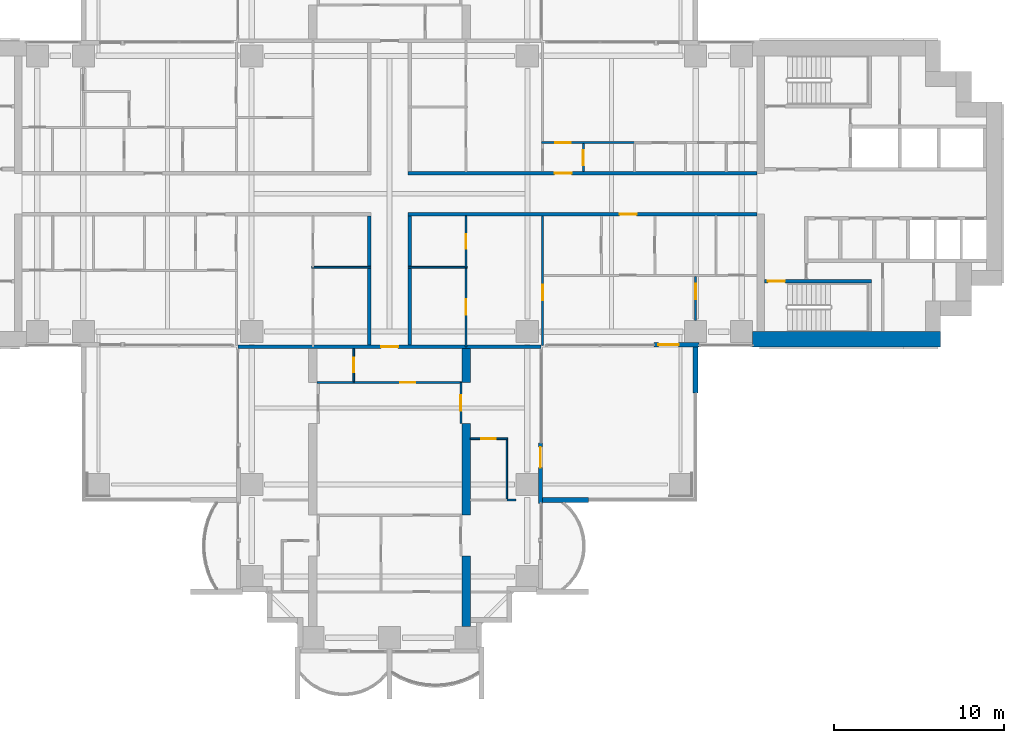
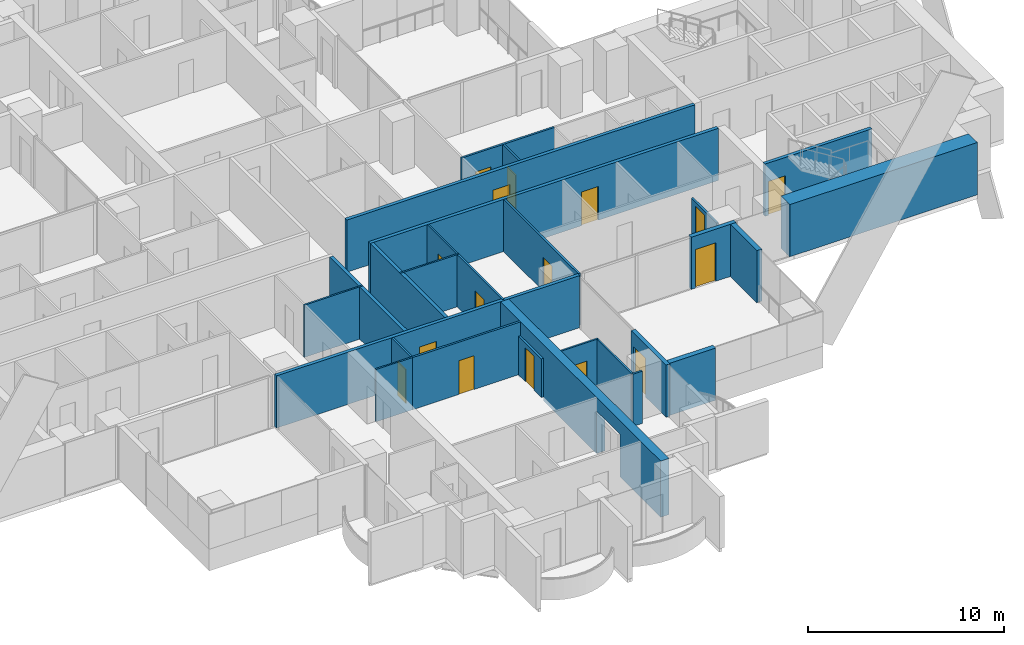
# One storey, part 13 of 23: 27 walls, 16 doors, 16 openings.
"""IFC4 building model written with IfcOpenShell, lengths in metres."""

from ifc_helpers import new_model, si_unit, direction, frame, frame_2d, origin, place, context, subcontext, project, spatial, polyline, rectangle, outline, extrude, material, layer, layer_set, material_profile, profile_set, type_object, element, fill, save


model = new_model("IFC4")

# Units and contexts
model_context = context("Model", 3, precision=1e-05, world=origin(), true_north=direction((0.0, 1.0)))
body_context = subcontext(model_context, "Body", "Model", "MODEL_VIEW")
ifc_project = project(units=[si_unit("LENGTHUNIT", "METRE"), si_unit("AREAUNIT", "SQUARE_METRE"), si_unit("VOLUMEUNIT", "CUBIC_METRE"), si_unit("PLANEANGLEUNIT", "RADIAN"), si_unit("MASSUNIT", "GRAM", prefix="KILO")], contexts=[model_context])

# Site, building, storey
site_placement = place(None, origin())
site = spatial("IfcSite", under=ifc_project, at=site_placement, CompositionType="ELEMENT")
building_placement = place(site_placement, origin())
building = spatial("IfcBuilding", under=site, at=building_placement, Name="Perihelion Cross Residences", CompositionType="ELEMENT")
storey_placement = place(building_placement, frame((0.0, 0.0, 36.5)))
storey = spatial("IfcBuildingStorey", under=building, at=storey_placement, Name="L05", CompositionType="ELEMENT", Elevation=36.5)

# Wall, opening, door
ifc_material_1 = material(Name="Plasterboard partition")
ifc_layer_1 = layer(ifc_material_1, 0.199951171875)
ifc_layer_set_1 = layer_set([ifc_layer_1], Name="Apartment separation wall 200")
wall_type_1 = type_object("IfcWallType", Name="Apartment separation wall 200", PredefinedType="PARTITIONING", material=ifc_layer_set_1)
wall_1_placement = place(storey_placement, frame((1.10009765625, 1.199951171875, 0.0), z_axis=(0.0, 0.0, 1.0), x_axis=(1.0, 0.0, 0.0)))
wall_1 = element("IfcWall", 1, at=wall_1_placement, inside=storey, type_object=wall_type_1, Name="Partition L05 W001", PredefinedType="PARTITIONING", context=body_context, shape_type="SweptSolid", body=[
    extrude(rectangle(XDim=20.5, YDim=0.199951171875, at=frame_2d((10.25, 0.0))), origin(), (0.0, 0.0, 1.0), 3.25),
])
opening_1_placement = place(wall_1_placement, frame((8.60009765625, 0.0, 0.0)))
opening_1 = element("IfcOpeningElement", 2, at=opening_1_placement, cuts=wall_1, Name="Opening L05.A50", PredefinedType="OPENING", context=body_context, shape_type="SweptSolid", body=[
    extrude(rectangle(XDim=1.0, YDim=2.10009765625, at=frame_2d((0.5, 1.050048828125))), frame((0.0, 0.10986328125, 0.0), z_axis=(0.0, -1.0, 0.0), x_axis=(1.0, 0.0, 0.0)), (0.0, 0.0, 1.0), 0.219970703125),
])
ifc_material_2 = material(Name="Timber door leaf", Category="wood")
door_type_1 = type_object("IfcDoorType", Name="Flat entrance door 1000 x 2100", OperationType="SINGLE_SWING_LEFT", PredefinedType="DOOR", material=ifc_material_2)
door_1_placement = place(opening_1_placement, origin())
door_1 = element("IfcDoor", 3, at=door_1_placement, inside=storey, type_object=door_type_1, Name="Door L05.A50", OperationType="SINGLE_SWING_RIGHT", OverallHeight=2.10009765625, OverallWidth=1.0, PredefinedType="DOOR", context=body_context, shape_type="SweptSolid", body=[
    extrude(rectangle(XDim=1.0, YDim=2.10009765625, at=frame_2d((0.5, 1.050048828125))), frame((0.0, 0.02490234375, 0.0), z_axis=(0.0, -1.0, 0.0), x_axis=(1.0, 0.0, 0.0)), (0.0, 0.0, 1.0), 0.050048828125),
])
fill(opening_1, door_1)

wall_2_placement = place(storey_placement, frame((21.60009765625, -1.199951171875, 0.0), z_axis=(0.0, 0.0, 1.0), x_axis=(-1.0, 0.0, 0.0)))
wall_2 = element("IfcWall", 4, at=wall_2_placement, inside=storey, type_object=wall_type_1, Name="Partition L05 W003", PredefinedType="PARTITIONING", context=body_context, shape_type="SweptSolid", body=[
    extrude(rectangle(XDim=20.5, YDim=0.199951171875, at=frame_2d((10.25, 0.0))), origin(), (0.0, 0.0, 1.0), 3.25),
])
opening_2_placement = place(wall_2_placement, frame((7.074951171875, 0.0, 0.0)))
opening_2 = element("IfcOpeningElement", 5, at=opening_2_placement, cuts=wall_2, Name="Opening L05.A51", PredefinedType="OPENING", context=body_context, shape_type="SweptSolid", body=[
    extrude(rectangle(XDim=1.0, YDim=2.10009765625, at=frame_2d((0.5, 1.050048828125))), frame((0.0, 0.10986328125, 0.0), z_axis=(0.0, -1.0, 0.0), x_axis=(1.0, 0.0, 0.0)), (0.0, 0.0, 1.0), 0.219970703125),
])
door_2_placement = place(opening_2_placement, origin())
door_2 = element("IfcDoor", 6, at=door_2_placement, inside=storey, type_object=door_type_1, Name="Door L05.A51", OperationType="SINGLE_SWING_LEFT", OverallHeight=2.10009765625, OverallWidth=1.0, PredefinedType="DOOR", context=body_context, shape_type="SweptSolid", body=[
    extrude(rectangle(XDim=1.0, YDim=2.10009765625, at=frame_2d((0.5, 1.050048828125))), frame((0.0, 0.02490234375, 0.0), z_axis=(0.0, -1.0, 0.0), x_axis=(1.0, 0.0, 0.0)), (0.0, 0.0, 1.0), 0.050048828125),
])
fill(opening_2, door_2)

# Walls
for number, where, z_axis, x_axis, name in (
    (7, (1.199951171875, -1.300048828125, 0.0), (0.0, 0.0, 1.0), (0.0, -1.0, 0.0), "Partition L05 W004"),
    (8, (-1.199951171875, -8.89990234375, 0.0), (0.0, 0.0, 1.0), (0.0, 1.0, 0.0), "Partition L05 W008"),
):
    element("IfcWall", number, at=place(storey_placement, frame(where, z_axis=z_axis, x_axis=x_axis)), inside=storey, type_object=wall_type_1, Name=name, PredefinedType="PARTITIONING", context=body_context, shape_type="SweptSolid", body=[
        extrude(rectangle(XDim=7.599853515625, YDim=0.199951171875, at=frame_2d((3.7998046875, 0.0))), origin(), (0.0, 0.0, 1.0), 3.25),
    ])

# Wall, opening, door
wall_3_placement = place(storey_placement, frame((8.919921875, -9.0, 0.0), z_axis=(0.0, 0.0, 1.0), x_axis=(-1.0, 0.0, 0.0)))
wall_3 = element("IfcWall", 9, at=wall_3_placement, inside=storey, type_object=wall_type_1, Name="Partition L05 W010", PredefinedType="PARTITIONING", context=body_context, shape_type="SweptSolid", body=[
    extrude(rectangle(XDim=17.83984375, YDim=0.199951171875, at=frame_2d((8.919921875, 0.0))), origin(), (0.0, 0.0, 1.0), 3.25),
])
opening_3_placement = place(wall_3_placement, frame((8.419921875, 0.0, 0.0)))
opening_3 = element("IfcOpeningElement", 10, at=opening_3_placement, cuts=wall_3, Name="Opening L05.A42", PredefinedType="OPENING", context=body_context, shape_type="SweptSolid", body=[
    extrude(rectangle(XDim=1.0, YDim=2.10009765625, at=frame_2d((0.5, 1.050048828125))), frame((0.0, 0.10986328125, 0.0), z_axis=(0.0, -1.0, 0.0), x_axis=(1.0, 0.0, 0.0)), (0.0, 0.0, 1.0), 0.219970703125),
])
door_3_placement = place(opening_3_placement, origin())
door_3 = element("IfcDoor", 11, at=door_3_placement, inside=storey, type_object=door_type_1, Name="Door L05.A42", OperationType="SINGLE_SWING_RIGHT", OverallHeight=2.10009765625, OverallWidth=1.0, PredefinedType="DOOR", context=body_context, shape_type="SweptSolid", body=[
    extrude(rectangle(XDim=1.0, YDim=2.10009765625, at=frame_2d((0.5, 1.050048828125))), frame((0.0, 0.02490234375, 0.0), z_axis=(0.0, -1.0, 0.0), x_axis=(1.0, 0.0, 0.0)), (0.0, 0.0, 1.0), 0.050048828125),
])
fill(opening_3, door_3)

ifc_material_3 = material(Name="Concrete C30/37, bronze-clad", Category="concrete")
ifc_layer_2 = layer(ifc_material_3, 0.25)
ifc_layer_set_2 = layer_set([ifc_layer_2], Name="Bronze-clad pier wall 250")
wall_type_2 = type_object("IfcWallType", Name="Bronze-clad pier wall 250", PredefinedType="SOLIDWALL", material=ifc_layer_set_2)
wall_4_placement = place(storey_placement, frame((8.875, -18.199951171875, 0.0), z_axis=(0.0, 0.0, 1.0), x_axis=(0.0, 1.0, 0.0)))
wall_4 = element("IfcWall", 12, at=wall_4_placement, inside=storey, type_object=wall_type_2, Name="Wall FW1 L05 south side east bay 2 pier", PredefinedType="SOLIDWALL", context=body_context, shape_type="SweptSolid", body=[
    extrude(rectangle(XDim=3.550048828125, YDim=0.25, at=frame_2d((1.77490234375, 0.0))), origin(), (0.0, 0.0, 1.0), 3.25),
])
opening_4_placement = place(wall_4_placement, frame((2.10009765625, 0.0, 0.0)))
opening_4 = element("IfcOpeningElement", 13, at=opening_4_placement, cuts=wall_4, Name="Opening L05.E15", PredefinedType="OPENING", context=body_context, shape_type="SweptSolid", body=[
    extrude(rectangle(XDim=1.199951171875, YDim=2.39990234375, at=frame_2d((0.60009765625, 1.199951171875))), frame((0.0, 0.135009765625, 0.0), z_axis=(0.0, -1.0, 0.0), x_axis=(1.0, 0.0, 0.0)), (0.0, 0.0, 1.0), 0.27001953125),
])
ifc_material_4 = material(Name="Bronze anodised aluminium, glazed", Category="aluminium")
door_type_2 = type_object("IfcDoorType", Name="Balcony door 1200 x 2400", OperationType="NOTDEFINED", PredefinedType="DOOR", material=ifc_material_4)
door_4_placement = place(opening_4_placement, origin())
door_4 = element("IfcDoor", 14, at=door_4_placement, inside=storey, type_object=door_type_2, Name="Door L05.E15 south side east bay 2", OperationType="SINGLE_SWING_RIGHT", OverallHeight=2.39990234375, OverallWidth=1.199951171875, PredefinedType="DOOR", context=body_context, shape_type="SweptSolid", body=[
    extrude(rectangle(XDim=1.199951171875, YDim=2.39990234375, at=frame_2d((0.60009765625, 1.199951171875))), frame((0.0, 0.02490234375, 0.0), z_axis=(0.0, -1.0, 0.0), x_axis=(1.0, 0.0, 0.0)), (0.0, 0.0, 1.0), 0.050048828125),
])
fill(opening_4, door_4)

wall_5_placement = place(storey_placement, frame((15.550048828125, -8.875, 0.0), z_axis=(0.0, 0.0, 1.0), x_axis=(1.0, 0.0, 0.0)))
wall_5 = element("IfcWall", 15, at=wall_5_placement, inside=storey, type_object=wall_type_2, Name="Wall FW1 L05 east side south bay 1 pier", PredefinedType="SOLIDWALL", context=body_context, shape_type="SweptSolid", body=[
    extrude(rectangle(XDim=2.64990234375, YDim=0.25, at=frame_2d((1.324951171875, 0.0))), origin(), (0.0, 0.0, 1.0), 3.25),
])
opening_5_placement = place(wall_5_placement, frame((0.25, 0.0, 0.0)))
opening_5 = element("IfcOpeningElement", 16, at=opening_5_placement, cuts=wall_5, Name="Opening L05.E16", PredefinedType="OPENING", context=body_context, shape_type="SweptSolid", body=[
    extrude(rectangle(XDim=1.199951171875, YDim=2.39990234375, at=frame_2d((0.60009765625, 1.199951171875))), frame((0.0, 0.135009765625, 0.0), z_axis=(0.0, -1.0, 0.0), x_axis=(1.0, 0.0, 0.0)), (0.0, 0.0, 1.0), 0.27001953125),
])
door_5_placement = place(opening_5_placement, origin())
door_5 = element("IfcDoor", 17, at=door_5_placement, inside=storey, type_object=door_type_2, Name="Door L05.E16 east side south bay 1", OperationType="SINGLE_SWING_LEFT", OverallHeight=2.39990234375, OverallWidth=1.199951171875, PredefinedType="DOOR", context=body_context, shape_type="SweptSolid", body=[
    extrude(rectangle(XDim=1.199951171875, YDim=2.39990234375, at=frame_2d((0.60009765625, 1.199951171875))), frame((0.0, 0.02490234375, 0.0), z_axis=(0.0, -1.0, 0.0), x_axis=(1.0, 0.0, 0.0)), (0.0, 0.0, 1.0), 0.050048828125),
])
fill(opening_5, door_5)

# Wall
ifc_material_5 = material(Name="Concrete C60/75", Category="concrete")
ifc_layer_3 = layer(ifc_material_5, 0.89990234375)
ifc_layer_set_3 = layer_set([ifc_layer_3], Name="Core wall, outer 900")
wall_type_3 = type_object("IfcWallType", Name="Core wall, outer 900", PredefinedType="SHEAR", material=ifc_layer_set_3)
wall_6_placement = place(storey_placement, frame((21.35009765625, -8.550048828125, 0.0), z_axis=(0.0, 0.0, 1.0), x_axis=(1.0, 0.0, 0.0)))
element("IfcWall", 18, at=wall_6_placement, inside=storey, type_object=wall_type_3, Name="East core core wall, outer", PredefinedType="SHEAR", context=body_context, shape_type="SweptSolid", body=[
    extrude(rectangle(XDim=11.0498046875, YDim=0.89990234375, at=frame_2d((5.52490234375, 0.0))), origin(), (0.0, 0.0, 1.0), 3.25),
])

# Wall, opening, door
ifc_material_6 = material(Name="Plasterboard partition")
ifc_layer_4 = layer(ifc_material_6, 0.1201171875)
ifc_layer_set_4 = layer_set([ifc_layer_4], Name="Infill panel 120")
wall_type_4 = type_object("IfcWallType", Name="Infill panel 120", PredefinedType="PARTITIONING", material=ifc_layer_set_4)
wall_7_placement = place(storey_placement, frame((4.18994140625, -11.10009765625, 0.0), z_axis=(0.0, 0.0, 1.0), x_axis=(0.0, -1.0, 0.0)))
wall_7 = element("IfcWall", 19, at=wall_7_placement, inside=storey, type_object=wall_type_4, Name="Partition L05 WI05", PredefinedType="PARTITIONING", context=body_context, shape_type="SweptSolid", body=[
    extrude(rectangle(XDim=2.39990234375, YDim=0.1201171875, at=frame_2d((1.199951171875, 0.0))), origin(), (0.0, 0.0, 1.0), 2.39990234375),
])
opening_6_placement = place(wall_7_placement, frame((0.75, 0.0, 0.0)))
opening_6 = element("IfcOpeningElement", 20, at=opening_6_placement, cuts=wall_7, Name="Opening L05.A58", PredefinedType="OPENING", context=body_context, shape_type="SweptSolid", body=[
    extrude(rectangle(XDim=0.89990234375, YDim=2.10009765625, at=frame_2d((0.449951171875, 1.050048828125))), frame((0.0, 0.070068359375, 0.0), z_axis=(0.0, -1.0, 0.0), x_axis=(1.0, 0.0, 0.0)), (0.0, 0.0, 1.0), 0.14013671875),
])
ifc_material_7 = material(Name="Timber door leaf", Category="wood")
door_type_3 = type_object("IfcDoorType", Name="Interior room door 900 x 2100", OperationType="SINGLE_SWING_LEFT", PredefinedType="DOOR", material=ifc_material_7)
door_6_placement = place(opening_6_placement, origin())
door_6 = element("IfcDoor", 21, at=door_6_placement, inside=storey, type_object=door_type_3, Name="Door L05.A58", OperationType="SINGLE_SWING_LEFT", OverallHeight=2.10009765625, OverallWidth=0.89990234375, PredefinedType="DOOR", context=body_context, shape_type="SweptSolid", body=[
    extrude(rectangle(XDim=0.89990234375, YDim=2.10009765625, at=frame_2d((0.449951171875, 1.050048828125))), frame((0.0, 0.02490234375, 0.0), z_axis=(0.0, -1.0, 0.0), x_axis=(1.0, 0.0, 0.0)), (0.0, 0.0, 1.0), 0.050048828125),
])
fill(opening_6, door_6)

ifc_material_8 = material(Name="Plasterboard partition")
ifc_layer_5 = layer(ifc_material_8, 0.1201171875)
ifc_layer_set_5 = layer_set([ifc_layer_5], Name="Partition wall 120")
wall_type_5 = type_object("IfcWallType", Name="Partition wall 120", PredefinedType="PARTITIONING", material=ifc_layer_set_5)
wall_8_placement = place(storey_placement, frame((11.39990234375, 2.93994140625, 0.0), z_axis=(0.0, 0.0, 1.0), x_axis=(0.0, -1.0, 0.0)))
wall_8 = element("IfcWall", 22, at=wall_8_placement, inside=storey, type_object=wall_type_5, Name="Partition L05 W011", PredefinedType="PARTITIONING", context=body_context, shape_type="SweptSolid", body=[
    extrude(rectangle(XDim=1.639892578125, YDim=0.1201171875, at=frame_2d((0.81982421875, 0.0))), origin(), (0.0, 0.0, 1.0), 3.25),
])
opening_7_placement = place(wall_8_placement, frame((0.3701171875, 0.0, 0.0)))
opening_7 = element("IfcOpeningElement", 23, at=opening_7_placement, cuts=wall_8, Name="Opening L05.A02", PredefinedType="OPENING", context=body_context, shape_type="SweptSolid", body=[
    extrude(rectangle(XDim=0.89990234375, YDim=2.10009765625, at=frame_2d((0.449951171875, 1.050048828125))), frame((0.0, 0.070068359375, 0.0), z_axis=(0.0, -1.0, 0.0), x_axis=(1.0, 0.0, 0.0)), (0.0, 0.0, 1.0), 0.14013671875),
])
door_7_placement = place(opening_7_placement, origin())
door_7 = element("IfcDoor", 24, at=door_7_placement, inside=storey, type_object=door_type_3, Name="Door L05.A02", OperationType="SINGLE_SWING_RIGHT", OverallHeight=2.10009765625, OverallWidth=0.89990234375, PredefinedType="DOOR", context=body_context, shape_type="SweptSolid", body=[
    extrude(rectangle(XDim=0.89990234375, YDim=2.10009765625, at=frame_2d((0.449951171875, 1.050048828125))), frame((0.0, 0.02490234375, 0.0), z_axis=(0.0, -1.0, 0.0), x_axis=(1.0, 0.0, 0.0)), (0.0, 0.0, 1.0), 0.050048828125),
])
fill(opening_7, door_7)

wall_9_placement = place(storey_placement, frame((8.93994140625, 3.0, 0.0), z_axis=(0.0, 0.0, 1.0), x_axis=(1.0, 0.0, 0.0)))
wall_9 = element("IfcWall", 25, at=wall_9_placement, inside=storey, type_object=wall_type_5, Name="Partition L05 W012", PredefinedType="PARTITIONING", context=body_context, shape_type="SweptSolid", body=[
    extrude(rectangle(XDim=5.4599609375, YDim=0.1201171875, at=frame_2d((2.72998046875, 0.0))), origin(), (0.0, 0.0, 1.0), 3.25),
])
opening_8_placement = place(wall_9_placement, frame((0.81005859375, 0.0, 0.0)))
opening_8 = element("IfcOpeningElement", 26, at=opening_8_placement, cuts=wall_9, Name="Opening L05.A07", PredefinedType="OPENING", context=body_context, shape_type="SweptSolid", body=[
    extrude(rectangle(XDim=0.89990234375, YDim=2.10009765625, at=frame_2d((0.449951171875, 1.050048828125))), frame((0.0, 0.070068359375, 0.0), z_axis=(0.0, -1.0, 0.0), x_axis=(1.0, 0.0, 0.0)), (0.0, 0.0, 1.0), 0.14013671875),
])
door_8_placement = place(opening_8_placement, origin())
door_8 = element("IfcDoor", 27, at=door_8_placement, inside=storey, type_object=door_type_3, Name="Door L05.A07", OperationType="SINGLE_SWING_RIGHT", OverallHeight=2.10009765625, OverallWidth=0.89990234375, PredefinedType="DOOR", context=body_context, shape_type="SweptSolid", body=[
    extrude(rectangle(XDim=0.89990234375, YDim=2.10009765625, at=frame_2d((0.449951171875, 1.050048828125))), frame((0.0, 0.02490234375, 0.0), z_axis=(0.0, -1.0, 0.0), x_axis=(1.0, 0.0, 0.0)), (0.0, 0.0, 1.0), 0.050048828125),
])
fill(opening_8, door_8)

wall_10_placement = place(storey_placement, frame((9.0, -8.919921875, 0.0), z_axis=(0.0, 0.0, 1.0), x_axis=(0.0, 1.0, 0.0)))
wall_10 = element("IfcWall", 28, at=wall_10_placement, inside=storey, type_object=wall_type_5, Name="Partition L05 W025", PredefinedType="PARTITIONING", context=body_context, shape_type="SweptSolid", body=[
    extrude(rectangle(XDim=7.619873046875, YDim=0.1201171875, at=frame_2d((3.81005859375, 0.0))), origin(), (0.0, 0.0, 1.0), 3.25),
])
opening_9_placement = place(wall_10_placement, frame((2.669921875, 0.0, 0.0)))
opening_9 = element("IfcOpeningElement", 29, at=opening_9_placement, cuts=wall_10, Name="Opening L05.A13", PredefinedType="OPENING", context=body_context, shape_type="SweptSolid", body=[
    extrude(rectangle(XDim=0.89990234375, YDim=2.10009765625, at=frame_2d((0.449951171875, 1.050048828125))), frame((0.0, 0.070068359375, 0.0), z_axis=(0.0, -1.0, 0.0), x_axis=(1.0, 0.0, 0.0)), (0.0, 0.0, 1.0), 0.14013671875),
])
door_9_placement = place(opening_9_placement, origin())
door_9 = element("IfcDoor", 30, at=door_9_placement, inside=storey, type_object=door_type_3, Name="Door L05.A13", OperationType="SINGLE_SWING_LEFT", OverallHeight=2.10009765625, OverallWidth=0.89990234375, PredefinedType="DOOR", context=body_context, shape_type="SweptSolid", body=[
    extrude(rectangle(XDim=0.89990234375, YDim=2.10009765625, at=frame_2d((0.449951171875, 1.050048828125))), frame((0.0, 0.02490234375, 0.0), z_axis=(0.0, -1.0, 0.0), x_axis=(1.0, 0.0, 0.0)), (0.0, 0.0, 1.0), 0.050048828125),
])
fill(opening_9, door_9)

wall_11_placement = place(storey_placement, frame((18.0, -4.860107421875, 0.0), z_axis=(0.0, 0.0, 1.0), x_axis=(0.0, -1.0, 0.0)))
wall_11 = element("IfcWall", 31, at=wall_11_placement, inside=storey, type_object=wall_type_5, Name="Partition L05 W029", PredefinedType="PARTITIONING", context=body_context, shape_type="SweptSolid", body=[
    extrude(rectangle(XDim=2.58984375, YDim=0.1201171875, at=frame_2d((1.294921875, 0.0))), origin(), (0.0, 0.0, 1.0), 2.345947265625),
])
opening_10_placement = place(wall_11_placement, frame((0.445068359375, 0.0, 0.0)))
opening_10 = element("IfcOpeningElement", 32, at=opening_10_placement, cuts=wall_11, Name="Opening L05.A09", PredefinedType="OPENING", context=body_context, shape_type="SweptSolid", body=[
    extrude(rectangle(XDim=0.89990234375, YDim=2.10009765625, at=frame_2d((0.449951171875, 1.050048828125))), frame((0.0, 0.070068359375, 0.0), z_axis=(0.0, -1.0, 0.0), x_axis=(1.0, 0.0, 0.0)), (0.0, 0.0, 1.0), 0.14013671875),
])
door_10_placement = place(opening_10_placement, origin())
door_10 = element("IfcDoor", 33, at=door_10_placement, inside=storey, type_object=door_type_3, Name="Door L05.A09", OperationType="SINGLE_SWING_LEFT", OverallHeight=2.10009765625, OverallWidth=0.89990234375, PredefinedType="DOOR", context=body_context, shape_type="SweptSolid", body=[
    extrude(rectangle(XDim=0.89990234375, YDim=2.10009765625, at=frame_2d((0.449951171875, 1.050048828125))), frame((0.0, 0.02490234375, 0.0), z_axis=(0.0, -1.0, 0.0), x_axis=(1.0, 0.0, 0.0)), (0.0, 0.0, 1.0), 0.050048828125),
])
fill(opening_10, door_10)

wall_12_placement = place(storey_placement, frame((4.5, -9.0, 0.0), z_axis=(0.0, 0.0, 1.0), x_axis=(0.0, 1.0, 0.0)))
wall_12 = element("IfcWall", 34, at=wall_12_placement, inside=storey, type_object=wall_type_5, Name="Partition L05 W031", PredefinedType="PARTITIONING", context=body_context, shape_type="SweptSolid", body=[
    extrude(rectangle(XDim=4.679931640625, YDim=0.1201171875, at=frame_2d((2.33984375, 0.0))), origin(), (0.0, 0.0, 1.0), 3.25),
])
opening_11_placement = place(wall_12_placement, frame((1.889892578125, 0.0, 0.0)))
opening_11 = element("IfcOpeningElement", 35, at=opening_11_placement, cuts=wall_12, Name="Opening L05.A14", PredefinedType="OPENING", context=body_context, shape_type="SweptSolid", body=[
    extrude(rectangle(XDim=0.89990234375, YDim=2.10009765625, at=frame_2d((0.449951171875, 1.050048828125))), frame((0.0, 0.070068359375, 0.0), z_axis=(0.0, -1.0, 0.0), x_axis=(1.0, 0.0, 0.0)), (0.0, 0.0, 1.0), 0.14013671875),
])
door_11_placement = place(opening_11_placement, origin())
door_11 = element("IfcDoor", 36, at=door_11_placement, inside=storey, type_object=door_type_3, Name="Door L05.A14", OperationType="SINGLE_SWING_LEFT", OverallHeight=2.10009765625, OverallWidth=0.89990234375, PredefinedType="DOOR", context=body_context, shape_type="SweptSolid", body=[
    extrude(rectangle(XDim=0.89990234375, YDim=2.10009765625, at=frame_2d((0.449951171875, 1.050048828125))), frame((0.0, 0.02490234375, 0.0), z_axis=(0.0, -1.0, 0.0), x_axis=(1.0, 0.0, 0.0)), (0.0, 0.0, 1.0), 0.050048828125),
])
fill(opening_11, door_11)

wall_13_placement = place(storey_placement, frame((4.25, -11.10009765625, 0.0), z_axis=(0.0, 0.0, 1.0), x_axis=(-1.0, 0.0, 0.0)))
wall_13 = element("IfcWall", 37, at=wall_13_placement, inside=storey, type_object=wall_type_5, Name="Partition L05 W073", PredefinedType="PARTITIONING", context=body_context, shape_type="SweptSolid", body=[
    extrude(rectangle(XDim=6.35009765625, YDim=0.1201171875, at=frame_2d((3.175048828125, 0.0))), origin(), (0.0, 0.0, 1.0), 3.25),
])
opening_12_placement = place(wall_13_placement, frame((2.72509765625, 0.0, 0.0)))
opening_12 = element("IfcOpeningElement", 38, at=opening_12_placement, cuts=wall_13, Name="Opening L05.A44", PredefinedType="OPENING", context=body_context, shape_type="SweptSolid", body=[
    extrude(rectangle(XDim=0.89990234375, YDim=2.10009765625, at=frame_2d((0.449951171875, 1.050048828125))), frame((0.0, 0.070068359375, 0.0), z_axis=(0.0, -1.0, 0.0), x_axis=(1.0, 0.0, 0.0)), (0.0, 0.0, 1.0), 0.14013671875),
])
door_12_placement = place(opening_12_placement, origin())
door_12 = element("IfcDoor", 39, at=door_12_placement, inside=storey, type_object=door_type_3, Name="Door L05.A44", OperationType="SINGLE_SWING_LEFT", OverallHeight=2.10009765625, OverallWidth=0.89990234375, PredefinedType="DOOR", context=body_context, shape_type="SweptSolid", body=[
    extrude(rectangle(XDim=0.89990234375, YDim=2.10009765625, at=frame_2d((0.449951171875, 1.050048828125))), frame((0.0, 0.02490234375, 0.0), z_axis=(0.0, -1.0, 0.0), x_axis=(1.0, 0.0, 0.0)), (0.0, 0.0, 1.0), 0.050048828125),
])
fill(opening_12, door_12)

# Walls
wall_14_placement = place(storey_placement, frame((7.449951171875, -18.0, 0.0), z_axis=(0.0, 0.0, 1.0), x_axis=(-1.0, 0.0, 0.0)))
element("IfcWall", 40, at=wall_14_placement, inside=storey, type_object=wall_type_5, Name="Partition L05 W080", PredefinedType="PARTITIONING", context=body_context, shape_type="SweptSolid", body=[
    extrude(rectangle(XDim=0.550048828125, YDim=0.1201171875, at=frame_2d((0.27490234375, 0.0))), origin(), (0.0, 0.0, 1.0), 3.25),
])
ifc_material_9 = material(Name="Precast concrete C50/60", Category="concrete")
ifc_layer_6 = layer(ifc_material_9, 0.300048828125)
ifc_layer_set_6 = layer_set([ifc_layer_6], Name="Precast concrete C50/60 blade wall 300")
wall_type_6 = type_object("IfcWallType", Name="Precast concrete C50/60 blade wall 300", PredefinedType="SOLIDWALL", material=ifc_layer_set_6)
wall_15_placement = place(storey_placement, frame((9.0, -18.0, 0.0), z_axis=(0.0, 0.0, 1.0), x_axis=(1.0, 0.0, 0.0)))
element("IfcWall", 41, at=wall_15_placement, inside=storey, type_object=wall_type_6, Name="Wall BL1 L05 no. 15", PredefinedType="SOLIDWALL", context=body_context, shape_type="SweptSolid", body=[
    extrude(rectangle(XDim=2.699951171875, YDim=0.300048828125, at=frame_2d((1.35009765625, 0.0))), origin(), (0.0, 0.0, 1.0), 3.25),
])
wall_16_placement = place(storey_placement, frame((18.0, -8.75, 0.0), z_axis=(0.0, 0.0, 1.0), x_axis=(0.0, -1.0, 0.0)))
element("IfcWall", 42, at=wall_16_placement, inside=storey, type_object=wall_type_6, Name="Wall BL1 L05 no. 11", PredefinedType="SOLIDWALL", context=body_context, shape_type="SweptSolid", body=[
    extrude(rectangle(XDim=2.949951171875, YDim=0.300048828125, at=frame_2d((1.47509765625, 0.0))), origin(), (0.0, 0.0, 1.0), 3.25),
])

# Wall, opening, door
ifc_material_10 = material(Name="Concrete C50/60", Category="concrete")
ifc_layer_7 = layer(ifc_material_10, 0.199951171875)
ifc_layer_set_7 = layer_set([ifc_layer_7], Name="Stair wall 200")
wall_type_7 = type_object("IfcWallType", Name="Stair wall 200", PredefinedType="SOLIDWALL", material=ifc_layer_set_7)
wall_17_placement = place(storey_placement, frame((22.050048828125, -5.14990234375, 0.0), z_axis=(0.0, 0.0, 1.0), x_axis=(1.0, 0.0, 0.0)))
wall_17 = element("IfcWall", 43, at=wall_17_placement, inside=storey, type_object=wall_type_7, Name="East core stair wall", PredefinedType="SOLIDWALL", context=body_context, shape_type="SweptSolid", body=[
    extrude(rectangle(XDim=6.300048828125, YDim=0.199951171875, at=frame_2d((3.14990234375, 0.0))), origin(), (0.0, 0.0, 1.0), 3.25),
])
opening_13_placement = place(wall_17_placement, frame((0.199951171875, 0.0, 0.0)))
opening_13 = element("IfcOpeningElement", 44, at=opening_13_placement, cuts=wall_17, Name="Opening L05.C05", PredefinedType="OPENING", context=body_context, shape_type="SweptSolid", body=[
    extrude(rectangle(XDim=1.0, YDim=2.10009765625, at=frame_2d((0.5, 1.050048828125))), frame((0.0, 0.10986328125, 0.0), z_axis=(0.0, -1.0, 0.0), x_axis=(1.0, 0.0, 0.0)), (0.0, 0.0, 1.0), 0.219970703125),
])
ifc_material_11 = material(Name="Steel, powder coated", Category="steel")
door_type_4 = type_object("IfcDoorType", Name="Stair door 1000", OperationType="SINGLE_SWING_LEFT", PredefinedType="DOOR", material=ifc_material_11)
door_13_placement = place(opening_13_placement, origin())
door_13 = element("IfcDoor", 45, at=door_13_placement, inside=storey, type_object=door_type_4, Name="East core stair door", OperationType="SINGLE_SWING_LEFT", OverallHeight=2.10009765625, OverallWidth=1.0, PredefinedType="DOOR", context=body_context, shape_type="SweptSolid", body=[
    extrude(rectangle(XDim=1.0, YDim=2.10009765625, at=frame_2d((0.5, 1.050048828125))), frame((0.0, 0.02490234375, 0.0), z_axis=(0.0, -1.0, 0.0), x_axis=(1.0, 0.0, 0.0)), (0.0, 0.0, 1.0), 0.050048828125),
])
fill(opening_13, door_13)

# Wall
ifc_material_12 = material(Name="Concrete C60/75", Category="concrete")
ifc_material_profile = material_profile(ifc_material_12, outline(polyline([(0.0, 0.0), (4.14990234375, 0.0), (4.14990234375, 2.64990234375), (6.550048828125, 2.64990234375), (6.550048828125, 0.0), (11.949951171875, 0.0), (11.949951171875, 2.64990234375), (14.35009765625, 2.64990234375), (14.35009765625, 0.0), (16.449951171875, 0.0), (16.449951171875, 3.5), (0.0, 3.5), (0.0, 0.0)])), Name="Tip spine wall")
ifc_profile_set = profile_set([ifc_material_profile], Name="Concrete C60/75")
wall_type_8 = type_object("IfcWallType", Name="Tip spine wall 500 with 2 door openings 16450 long 3500 high concrete C60/75 hand A", PredefinedType="SHEAR", material=ifc_profile_set)
wall_18_placement = place(storey_placement, frame((4.25, -25.449951171875, -0.25), z_axis=(1.0, 0.0, 0.0), x_axis=(0.0, 1.0, 0.0)))
element("IfcWall", 46, at=wall_18_placement, inside=storey, type_object=wall_type_8, Name="Shear wall SW24 L05 south east", PredefinedType="SHEAR", context=body_context, shape_type="SweptSolid", body=[
    extrude(outline(polyline([(0.0, 0.0), (4.14990234375, 0.0), (4.14990234375, 2.64990234375), (6.550048828125, 2.64990234375), (6.550048828125, 0.0), (11.949951171875, 0.0), (11.949951171875, 2.64990234375), (14.35009765625, 2.64990234375), (14.35009765625, 0.0), (16.449951171875, 0.0), (16.449951171875, 3.5), (0.0, 3.5), (0.0, 0.0)])), origin(), (0.0, 0.0, 1.0), 0.5),
])

# Wall, opening, door
ifc_material_13 = material(Name="Plasterboard partition")
ifc_layer_8 = layer(ifc_material_13, 0.10009765625)
ifc_layer_set_8 = layer_set([ifc_layer_8], Name="Wet room wall 100")
wall_type_9 = type_object("IfcWallType", Name="Wet room wall 100", PredefinedType="PARTITIONING", material=ifc_layer_set_8)
wall_19_placement = place(storey_placement, frame((4.5, -4.320068359375, 0.0), z_axis=(0.0, 0.0, 1.0), x_axis=(0.0, 1.0, 0.0)))
wall_19 = element("IfcWall", 47, at=wall_19_placement, inside=storey, type_object=wall_type_9, Name="Partition L05 W030", PredefinedType="PARTITIONING", context=body_context, shape_type="SweptSolid", body=[
    extrude(rectangle(XDim=3.02001953125, YDim=0.10009765625, at=frame_2d((1.510009765625, 0.0))), origin(), (0.0, 0.0, 1.0), 3.25),
])
opening_14_placement = place(wall_19_placement, frame((1.0849609375, 0.0, 0.0)))
opening_14 = element("IfcOpeningElement", 48, at=opening_14_placement, cuts=wall_19, Name="Opening L05.A15", PredefinedType="OPENING", context=body_context, shape_type="SweptSolid", body=[
    extrude(rectangle(XDim=0.85009765625, YDim=2.10009765625, at=frame_2d((0.425048828125, 1.050048828125))), frame((0.0, 0.06005859375, 0.0), z_axis=(0.0, -1.0, 0.0), x_axis=(1.0, 0.0, 0.0)), (0.0, 0.0, 1.0), 0.1201171875),
])
ifc_material_14 = material(Name="Timber door leaf", Category="wood")
door_type_5 = type_object("IfcDoorType", Name="Interior bathroom door 850 x 2100", OperationType="SINGLE_SWING_LEFT", PredefinedType="DOOR", material=ifc_material_14)
door_14_placement = place(opening_14_placement, origin())
door_14 = element("IfcDoor", 49, at=door_14_placement, inside=storey, type_object=door_type_5, Name="Door L05.A15", OperationType="SINGLE_SWING_LEFT", OverallHeight=2.10009765625, OverallWidth=0.85009765625, PredefinedType="DOOR", context=body_context, shape_type="SweptSolid", body=[
    extrude(rectangle(XDim=0.85009765625, YDim=2.10009765625, at=frame_2d((0.425048828125, 1.050048828125))), frame((0.0, 0.02490234375, 0.0), z_axis=(0.0, -1.0, 0.0), x_axis=(1.0, 0.0, 0.0)), (0.0, 0.0, 1.0), 0.050048828125),
])
fill(opening_14, door_14)

# Walls
for number, where, z_axis, x_axis, name in (
    (50, (4.56005859375, -4.320068359375, 0.0), (0.0, 0.0, 1.0), (-1.0, 0.0, 0.0), "Partition L05 W032"),
    (51, (-1.10009765625, -4.320068359375, 0.0), (0.0, 0.0, 1.0), (-1.0, 0.0, 0.0), "Partition L05 W056"),
):
    element("IfcWall", number, at=place(storey_placement, frame(where, z_axis=z_axis, x_axis=x_axis)), inside=storey, type_object=wall_type_9, Name=name, PredefinedType="PARTITIONING", context=body_context, shape_type="SweptSolid", body=[
        extrude(rectangle(XDim=3.4599609375, YDim=0.10009765625, at=frame_2d((1.72998046875, 0.0))), origin(), (0.0, 0.0, 1.0), 3.25),
    ])

# Wall, opening, door
wall_20_placement = place(storey_placement, frame((-2.10009765625, -11.0400390625, 0.0), z_axis=(0.0, 0.0, 1.0), x_axis=(0.0, 1.0, 0.0)))
wall_20 = element("IfcWall", 52, at=wall_20_placement, inside=storey, type_object=wall_type_9, Name="Partition L05 W072", PredefinedType="PARTITIONING", context=body_context, shape_type="SweptSolid", body=[
    extrude(rectangle(XDim=1.93994140625, YDim=0.10009765625, at=frame_2d((0.969970703125, 0.0))), origin(), (0.0, 0.0, 1.0), 3.25),
])
opening_15_placement = place(wall_20_placement, frame((0.544921875, 0.0, 0.0)))
opening_15 = element("IfcOpeningElement", 53, at=opening_15_placement, cuts=wall_20, Name="Opening L05.A43", PredefinedType="OPENING", context=body_context, shape_type="SweptSolid", body=[
    extrude(rectangle(XDim=0.85009765625, YDim=2.10009765625, at=frame_2d((0.425048828125, 1.050048828125))), frame((0.0, 0.06005859375, 0.0), z_axis=(0.0, -1.0, 0.0), x_axis=(1.0, 0.0, 0.0)), (0.0, 0.0, 1.0), 0.1201171875),
])
door_15_placement = place(opening_15_placement, origin())
door_15 = element("IfcDoor", 54, at=door_15_placement, inside=storey, type_object=door_type_5, Name="Door L05.A43", OperationType="SINGLE_SWING_LEFT", OverallHeight=2.10009765625, OverallWidth=0.85009765625, PredefinedType="DOOR", context=body_context, shape_type="SweptSolid", body=[
    extrude(rectangle(XDim=0.85009765625, YDim=2.10009765625, at=frame_2d((0.425048828125, 1.050048828125))), frame((0.0, 0.02490234375, 0.0), z_axis=(0.0, -1.0, 0.0), x_axis=(1.0, 0.0, 0.0)), (0.0, 0.0, 1.0), 0.050048828125),
])
fill(opening_15, door_15)

# Walls
wall_21_placement = place(storey_placement, frame((-2.10009765625, -11.10009765625, 0.0), z_axis=(0.0, 0.0, 1.0), x_axis=(-1.0, 0.0, 0.0)))
element("IfcWall", 55, at=wall_21_placement, inside=storey, type_object=wall_type_9, Name="Partition L05 W074", PredefinedType="PARTITIONING", context=body_context, shape_type="SweptSolid", body=[
    extrude(rectangle(XDim=2.14990234375, YDim=0.10009765625, at=frame_2d((1.074951171875, 0.0))), origin(), (0.0, 0.0, 1.0), 3.25),
])
wall_22_placement = place(storey_placement, frame((6.89990234375, -17.93994140625, 0.0), z_axis=(0.0, 0.0, 1.0), x_axis=(0.0, 1.0, 0.0)))
element("IfcWall", 56, at=wall_22_placement, inside=storey, type_object=wall_type_9, Name="Partition L05 W078", PredefinedType="PARTITIONING", context=body_context, shape_type="SweptSolid", body=[
    extrude(rectangle(XDim=3.489990234375, YDim=0.10009765625, at=frame_2d((1.7451171875, 0.0))), origin(), (0.0, 0.0, 1.0), 3.25),
])

# Wall, opening, door
wall_23_placement = place(storey_placement, frame((6.949951171875, -14.39990234375, 0.0), z_axis=(0.0, 0.0, 1.0), x_axis=(-1.0, 0.0, 0.0)))
wall_23 = element("IfcWall", 57, at=wall_23_placement, inside=storey, type_object=wall_type_9, Name="Partition L05 W079", PredefinedType="PARTITIONING", context=body_context, shape_type="SweptSolid", body=[
    extrude(rectangle(XDim=2.199951171875, YDim=0.10009765625, at=frame_2d((1.10009765625, 0.0))), origin(), (0.0, 0.0, 1.0), 3.25),
])
opening_16_placement = place(wall_23_placement, frame((0.699951171875, 0.0, 0.0)))
opening_16 = element("IfcOpeningElement", 58, at=opening_16_placement, cuts=wall_23, Name="Opening L05.A48", PredefinedType="OPENING", context=body_context, shape_type="SweptSolid", body=[
    extrude(rectangle(XDim=0.85009765625, YDim=2.10009765625, at=frame_2d((0.425048828125, 1.050048828125))), frame((0.0, 0.06005859375, 0.0), z_axis=(0.0, -1.0, 0.0), x_axis=(1.0, 0.0, 0.0)), (0.0, 0.0, 1.0), 0.1201171875),
])
door_16_placement = place(opening_16_placement, origin())
door_16 = element("IfcDoor", 59, at=door_16_placement, inside=storey, type_object=door_type_5, Name="Door L05.A48", OperationType="SINGLE_SWING_RIGHT", OverallHeight=2.10009765625, OverallWidth=0.85009765625, PredefinedType="DOOR", context=body_context, shape_type="SweptSolid", body=[
    extrude(rectangle(XDim=0.85009765625, YDim=2.10009765625, at=frame_2d((0.425048828125, 1.050048828125))), frame((0.0, 0.02490234375, 0.0), z_axis=(0.0, -1.0, 0.0), x_axis=(1.0, 0.0, 0.0)), (0.0, 0.0, 1.0), 0.050048828125),
])
fill(opening_16, door_16)

save(model, "model.ifc")
